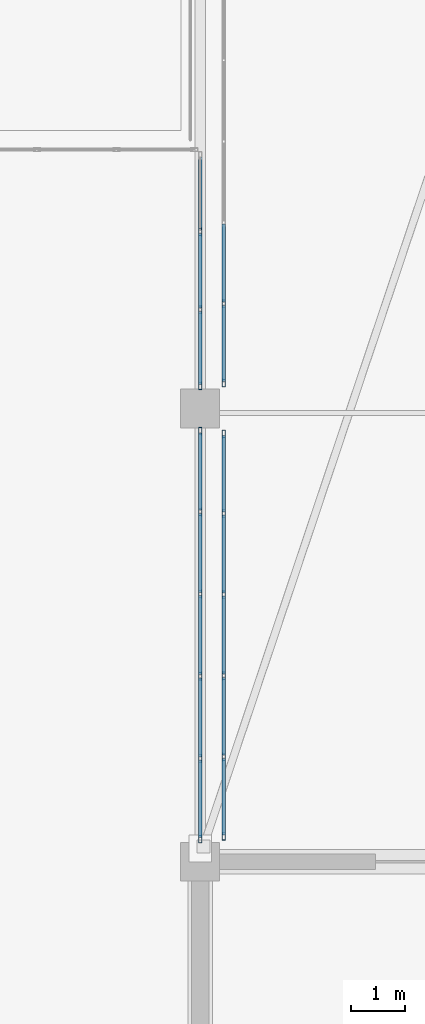
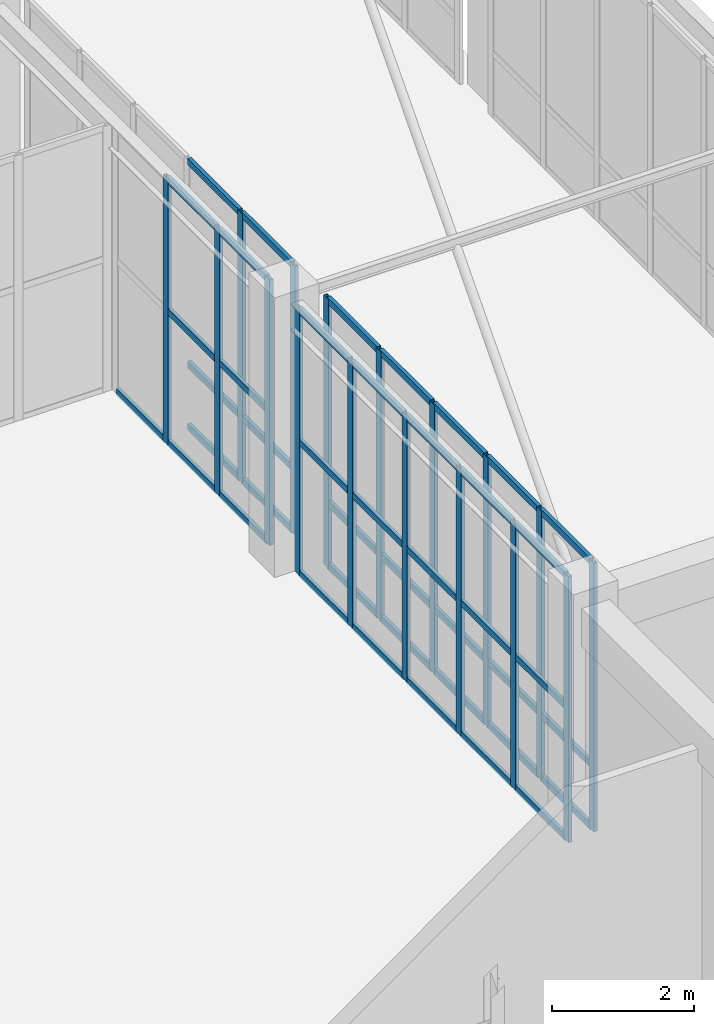
# One storey, part 64 of 158: 60 members, 4 elements without a shape of their own.
"""IFC4 building model written with IfcOpenShell, lengths in metres."""

from ifc_helpers import new_model, si_unit, direction, frame, origin, origin_2d, place, context, subcontext, project, spatial, hollow_rectangle, extrude, material, layer, layer_set, material_profile, profile_set, type_object, element, aggregate, save


model = new_model("IFC4")

# Units and contexts
model_context = context("Model", 3, precision=1e-05, world=origin(), true_north=direction((0.0, 1.0)))
body_context = subcontext(model_context, "Body", "Model", "MODEL_VIEW")
ifc_project = project(units=[si_unit("LENGTHUNIT", "METRE"), si_unit("AREAUNIT", "SQUARE_METRE"), si_unit("VOLUMEUNIT", "CUBIC_METRE"), si_unit("PLANEANGLEUNIT", "RADIAN"), si_unit("MASSUNIT", "GRAM", prefix="KILO")], contexts=[model_context])

# Site, building, storey
site_placement = place(None, origin())
site = spatial("IfcSite", under=ifc_project, at=site_placement, CompositionType="ELEMENT")
building_placement = place(site_placement, origin())
building = spatial("IfcBuilding", under=site, at=building_placement, Name="Trelvath General Hospital", CompositionType="ELEMENT")
storey_placement = place(building_placement, frame((0.0, 0.0, 8.10009765625)))
storey = spatial("IfcBuildingStorey", under=building, at=storey_placement, Name="L02", CompositionType="ELEMENT", Elevation=8.10009765625)

# Curtain wall, members
ifc_material_1 = material(Name="Anodised aluminium and low-E glass", Category="aluminium")
ifc_layer_1 = layer(ifc_material_1, 0.139892578125)
ifc_layer_set_1 = layer_set([ifc_layer_1], Name="Anodised aluminium and low-E glass")
curtain_wall_type_1 = type_object("IfcCurtainWallType", Name="CW CrystalCube 762 456 14", PredefinedType="USERDEFINED", material=ifc_layer_set_1)
curtain_wall_1_placement = place(storey_placement, origin())
curtain_wall_1 = element("IfcCurtainWall", 1, at=curtain_wall_1_placement, inside=storey, type_object=curtain_wall_type_1, Name="Crystal Cube Curtain Wall CUBE-W-T1 E6 L02", ObjectType="Unitised Glazed Curtain Wall", PredefinedType="USERDEFINED")
ifc_material_2 = material(Name="Anodised aluminium", Category="aluminium")
ifc_material_profile_1 = material_profile(ifc_material_2, hollow_rectangle(XDim=0.06005859375, YDim=0.139892578125, WallThickness=0.00390625, at=origin_2d()), Name="RHS60x140x4")
ifc_profile_set_1 = profile_set([ifc_material_profile_1], Name="Anodised aluminium")
member_type_1 = type_object("IfcMemberType", Name="CurtainMullion 60x140", PredefinedType="MULLION", material=ifc_profile_set_1)
member_1_placement = place(storey_placement, frame((75.60009765625, 75.179931640625, 0.0), z_axis=(0.0, 0.0, 1.0), x_axis=(1.0, 0.0, 0.0)))
member_1 = element("IfcMember", 2, at=member_1_placement, type_object=member_type_1, Name="CW-202 mullion 1", PredefinedType="MULLION", context=body_context, shape_type="SweptSolid", body=[
    extrude(hollow_rectangle(XDim=0.06005859375, YDim=0.139892578125, WallThickness=0.00390625, at=origin_2d()), origin(), (0.0, 0.0, 1.0), 4.559814453125),
])
member_2_placement = place(storey_placement, frame((75.60009765625, 73.68603515625, 0.0), z_axis=(0.0, 0.0, 1.0), x_axis=(1.0, 0.0, 0.0)))
member_2 = element("IfcMember", 3, at=member_2_placement, type_object=member_type_1, Name="CW-202 mullion 2", PredefinedType="MULLION", context=body_context, shape_type="SweptSolid", body=[
    extrude(hollow_rectangle(XDim=0.06005859375, YDim=0.139892578125, WallThickness=0.00390625, at=origin_2d()), origin(), (0.0, 0.0, 1.0), 4.559814453125),
])
member_3_placement = place(storey_placement, frame((75.60009765625, 72.162109375, 0.0), z_axis=(0.0, 0.0, 1.0), x_axis=(1.0, 0.0, 0.0)))
member_3 = element("IfcMember", 4, at=member_3_placement, type_object=member_type_1, Name="CW-202 mullion 3", PredefinedType="MULLION", context=body_context, shape_type="SweptSolid", body=[
    extrude(hollow_rectangle(XDim=0.06005859375, YDim=0.139892578125, WallThickness=0.00390625, at=origin_2d()), origin(), (0.0, 0.0, 1.0), 4.559814453125),
])
member_4_placement = place(storey_placement, frame((75.60009765625, 70.637939453125, 0.0), z_axis=(0.0, 0.0, 1.0), x_axis=(1.0, 0.0, 0.0)))
member_4 = element("IfcMember", 5, at=member_4_placement, type_object=member_type_1, Name="CW-202 mullion 4", PredefinedType="MULLION", context=body_context, shape_type="SweptSolid", body=[
    extrude(hollow_rectangle(XDim=0.06005859375, YDim=0.139892578125, WallThickness=0.00390625, at=origin_2d()), origin(), (0.0, 0.0, 1.0), 4.559814453125),
])
member_5_placement = place(storey_placement, frame((75.60009765625, 69.114013671875, 0.0), z_axis=(0.0, 0.0, 1.0), x_axis=(1.0, 0.0, 0.0)))
member_5 = element("IfcMember", 6, at=member_5_placement, type_object=member_type_1, Name="CW-202 mullion 5", PredefinedType="MULLION", context=body_context, shape_type="SweptSolid", body=[
    extrude(hollow_rectangle(XDim=0.06005859375, YDim=0.139892578125, WallThickness=0.00390625, at=origin_2d()), origin(), (0.0, 0.0, 1.0), 4.559814453125),
])
member_6_placement = place(storey_placement, frame((75.60009765625, 67.6201171875, 0.0), z_axis=(0.0, 0.0, 1.0), x_axis=(1.0, 0.0, 0.0)))
member_6 = element("IfcMember", 7, at=member_6_placement, type_object=member_type_1, Name="CW-202 mullion 6", PredefinedType="MULLION", context=body_context, shape_type="SweptSolid", body=[
    extrude(hollow_rectangle(XDim=0.06005859375, YDim=0.139892578125, WallThickness=0.00390625, at=origin_2d()), origin(), (0.0, 0.0, 1.0), 4.559814453125),
])

ifc_material_3 = material(Name="Anodised aluminium and low-E glass", Category="aluminium")
ifc_layer_2 = layer(ifc_material_3, 0.139892578125)
ifc_layer_set_2 = layer_set([ifc_layer_2], Name="Anodised aluminium and low-E glass")
curtain_wall_type_2 = type_object("IfcCurtainWallType", Name="CW CrystalCube 433 456 14", PredefinedType="USERDEFINED", material=ifc_layer_set_2)
curtain_wall_2_placement = place(storey_placement, origin())
curtain_wall_2 = element("IfcCurtainWall", 8, at=curtain_wall_2_placement, inside=storey, type_object=curtain_wall_type_2, Name="Crystal Cube Curtain Wall CUBE-W-T1 E7 L02", ObjectType="Unitised Glazed Curtain Wall", PredefinedType="USERDEFINED")
member_7_placement = place(storey_placement, frame((75.60009765625, 78.876708984375, 0.0), z_axis=(0.0, 0.0, 1.0), x_axis=(1.0, 0.0, 0.0)))
member_7 = element("IfcMember", 9, at=member_7_placement, type_object=member_type_1, Name="CW-204 mullion 2", PredefinedType="MULLION", context=body_context, shape_type="SweptSolid", body=[
    extrude(hollow_rectangle(XDim=0.06005859375, YDim=0.139892578125, WallThickness=0.00390625, at=origin_2d()), origin(), (0.0, 0.0, 1.0), 4.559814453125),
])
member_8_placement = place(storey_placement, frame((75.60009765625, 77.433349609375, 0.0), z_axis=(0.0, 0.0, 1.0), x_axis=(1.0, 0.0, 0.0)))
member_8 = element("IfcMember", 10, at=member_8_placement, type_object=member_type_1, Name="CW-204 mullion 3", PredefinedType="MULLION", context=body_context, shape_type="SweptSolid", body=[
    extrude(hollow_rectangle(XDim=0.06005859375, YDim=0.139892578125, WallThickness=0.00390625, at=origin_2d()), origin(), (0.0, 0.0, 1.0), 4.559814453125),
])
member_9_placement = place(storey_placement, frame((75.60009765625, 76.02001953125, 0.0), z_axis=(0.0, 0.0, 1.0), x_axis=(1.0, 0.0, 0.0)))
member_9 = element("IfcMember", 11, at=member_9_placement, type_object=member_type_1, Name="CW-204 mullion 4", PredefinedType="MULLION", context=body_context, shape_type="SweptSolid", body=[
    extrude(hollow_rectangle(XDim=0.06005859375, YDim=0.139892578125, WallThickness=0.00390625, at=origin_2d()), origin(), (0.0, 0.0, 1.0), 4.559814453125),
])

ifc_material_4 = material(Name="Anodised aluminium and low-E glass", Category="aluminium")
ifc_layer_3 = layer(ifc_material_4, 0.139892578125)
ifc_layer_set_3 = layer_set([ifc_layer_3], Name="Anodised aluminium and low-E glass")
curtain_wall_type_3 = type_object("IfcCurtainWallType", Name="CW Bridge 752 461", PredefinedType="USERDEFINED", material=ifc_layer_set_3)
curtain_wall_3_placement = place(storey_placement, origin())
curtain_wall_3 = element("IfcCurtainWall", 12, at=curtain_wall_3_placement, inside=storey, type_object=curtain_wall_type_3, Name="Glazed Bridge Curtain Wall BRG-N-C W L02", ObjectType="Unitised Glazed Curtain Wall", PredefinedType="USERDEFINED")
member_10_placement = place(storey_placement, frame((76.0400390625, 67.669921875, 0.0), z_axis=(0.0, 0.0, 1.0), x_axis=(-1.0, 0.0, 0.0)))
member_10 = element("IfcMember", 13, at=member_10_placement, type_object=member_type_1, Name="CW-220 mullion 1", PredefinedType="MULLION", context=body_context, shape_type="SweptSolid", body=[
    extrude(hollow_rectangle(XDim=0.06005859375, YDim=0.139892578125, WallThickness=0.00390625, at=origin_2d()), origin(), (0.0, 0.0, 1.0), 4.60986328125),
])
member_11_placement = place(storey_placement, frame((76.0400390625, 69.14404296875, 0.0), z_axis=(0.0, 0.0, 1.0), x_axis=(-1.0, 0.0, 0.0)))
member_11 = element("IfcMember", 14, at=member_11_placement, type_object=member_type_1, Name="CW-220 mullion 2", PredefinedType="MULLION", context=body_context, shape_type="SweptSolid", body=[
    extrude(hollow_rectangle(XDim=0.06005859375, YDim=0.139892578125, WallThickness=0.00390625, at=origin_2d()), origin(), (0.0, 0.0, 1.0), 4.60986328125),
])
member_12_placement = place(storey_placement, frame((76.0400390625, 70.64794921875, 0.0), z_axis=(0.0, 0.0, 1.0), x_axis=(-1.0, 0.0, 0.0)))
member_12 = element("IfcMember", 15, at=member_12_placement, type_object=member_type_1, Name="CW-220 mullion 3", PredefinedType="MULLION", context=body_context, shape_type="SweptSolid", body=[
    extrude(hollow_rectangle(XDim=0.06005859375, YDim=0.139892578125, WallThickness=0.00390625, at=origin_2d()), origin(), (0.0, 0.0, 1.0), 4.60986328125),
])
member_13_placement = place(storey_placement, frame((76.0400390625, 72.152099609375, 0.0), z_axis=(0.0, 0.0, 1.0), x_axis=(-1.0, 0.0, 0.0)))
member_13 = element("IfcMember", 16, at=member_13_placement, type_object=member_type_1, Name="CW-220 mullion 4", PredefinedType="MULLION", context=body_context, shape_type="SweptSolid", body=[
    extrude(hollow_rectangle(XDim=0.06005859375, YDim=0.139892578125, WallThickness=0.00390625, at=origin_2d()), origin(), (0.0, 0.0, 1.0), 4.60986328125),
])
member_14_placement = place(storey_placement, frame((76.0400390625, 73.656005859375, 0.0), z_axis=(0.0, 0.0, 1.0), x_axis=(-1.0, 0.0, 0.0)))
member_14 = element("IfcMember", 17, at=member_14_placement, type_object=member_type_1, Name="CW-220 mullion 5", PredefinedType="MULLION", context=body_context, shape_type="SweptSolid", body=[
    extrude(hollow_rectangle(XDim=0.06005859375, YDim=0.139892578125, WallThickness=0.00390625, at=origin_2d()), origin(), (0.0, 0.0, 1.0), 4.60986328125),
])
member_15_placement = place(storey_placement, frame((76.0400390625, 75.1298828125, 0.0), z_axis=(0.0, 0.0, 1.0), x_axis=(-1.0, 0.0, 0.0)))
member_15 = element("IfcMember", 18, at=member_15_placement, type_object=member_type_1, Name="CW-220 mullion 6", PredefinedType="MULLION", context=body_context, shape_type="SweptSolid", body=[
    extrude(hollow_rectangle(XDim=0.06005859375, YDim=0.139892578125, WallThickness=0.00390625, at=origin_2d()), origin(), (0.0, 0.0, 1.0), 4.60986328125),
])

curtain_wall_4_placement = place(storey_placement, origin())
curtain_wall_4 = element("IfcCurtainWall", 19, at=curtain_wall_4_placement, inside=storey, type_object=curtain_wall_type_3, Name="Glazed Bridge Curtain Wall BRG-N-C W L02", ObjectType="Unitised Glazed Curtain Wall", PredefinedType="USERDEFINED")
member_16_placement = place(storey_placement, frame((76.0400390625, 76.070068359375, 0.0), z_axis=(0.0, 0.0, 1.0), x_axis=(-1.0, 0.0, 0.0)))
member_16 = element("IfcMember", 20, at=member_16_placement, type_object=member_type_1, Name="CW-222 mullion 1", PredefinedType="MULLION", context=body_context, shape_type="SweptSolid", body=[
    extrude(hollow_rectangle(XDim=0.06005859375, YDim=0.139892578125, WallThickness=0.00390625, at=origin_2d()), origin(), (0.0, 0.0, 1.0), 4.60986328125),
])
member_17_placement = place(storey_placement, frame((76.0400390625, 77.5439453125, 0.0), z_axis=(0.0, 0.0, 1.0), x_axis=(-1.0, 0.0, 0.0)))
member_17 = element("IfcMember", 21, at=member_17_placement, type_object=member_type_1, Name="CW-222 mullion 2", PredefinedType="MULLION", context=body_context, shape_type="SweptSolid", body=[
    extrude(hollow_rectangle(XDim=0.06005859375, YDim=0.139892578125, WallThickness=0.00390625, at=origin_2d()), origin(), (0.0, 0.0, 1.0), 4.60986328125),
])

# Member
ifc_material_5 = material(Name="Anodised aluminium", Category="aluminium")
ifc_material_profile_2 = material_profile(ifc_material_5, hollow_rectangle(XDim=0.06005859375, YDim=0.110107421875, WallThickness=0.00390625, at=origin_2d()), Name="RHS60x110x4")
ifc_profile_set_2 = profile_set([ifc_material_profile_2], Name="Anodised aluminium")
member_type_2 = type_object("IfcMemberType", Name="CurtainTransom 60x110", PredefinedType="USERDEFINED", material=ifc_profile_set_2)
member_18_placement = place(storey_placement, frame((75.60009765625, 75.14990234375, 0.02978515625), z_axis=(0.0, -1.0, 0.0), x_axis=(1.0, 0.0, 0.0)))
member_18 = element("IfcMember", 22, at=member_18_placement, type_object=member_type_2, Name="CW-202 transom 1.1", ObjectType="TRANSOM", PredefinedType="USERDEFINED", context=body_context, shape_type="SweptSolid", body=[
    extrude(hollow_rectangle(XDim=0.06005859375, YDim=0.110107421875, WallThickness=0.00390625, at=origin_2d()), origin(), (0.0, 0.0, 1.0), 1.433837890625),
])

member_19_placement = place(storey_placement, frame((75.60009765625, 75.14990234375, 2.27978515625), z_axis=(0.0, -1.0, 0.0), x_axis=(1.0, 0.0, 0.0)))
member_19 = element("IfcMember", 23, at=member_19_placement, type_object=member_type_2, Name="CW-202 transom 1.2", ObjectType="TRANSOM", PredefinedType="USERDEFINED", context=body_context, shape_type="SweptSolid", body=[
    extrude(hollow_rectangle(XDim=0.06005859375, YDim=0.110107421875, WallThickness=0.00390625, at=origin_2d()), origin(), (0.0, 0.0, 1.0), 1.433837890625),
])

member_20_placement = place(storey_placement, frame((75.60009765625, 75.14990234375, 4.52978515625), z_axis=(0.0, -1.0, 0.0), x_axis=(1.0, 0.0, 0.0)))
member_20 = element("IfcMember", 24, at=member_20_placement, type_object=member_type_2, Name="CW-202 transom 1.3", ObjectType="TRANSOM", PredefinedType="USERDEFINED", context=body_context, shape_type="SweptSolid", body=[
    extrude(hollow_rectangle(XDim=0.06005859375, YDim=0.110107421875, WallThickness=0.00390625, at=origin_2d()), origin(), (0.0, 0.0, 1.0), 1.433837890625),
])

member_21_placement = place(storey_placement, frame((75.60009765625, 73.656005859375, 0.02978515625), z_axis=(0.0, -1.0, 0.0), x_axis=(1.0, 0.0, 0.0)))
member_21 = element("IfcMember", 25, at=member_21_placement, type_object=member_type_2, Name="CW-202 transom 2.1", ObjectType="TRANSOM", PredefinedType="USERDEFINED", context=body_context, shape_type="SweptSolid", body=[
    extrude(hollow_rectangle(XDim=0.06005859375, YDim=0.110107421875, WallThickness=0.00390625, at=origin_2d()), origin(), (0.0, 0.0, 1.0), 1.464111328125),
])

member_22_placement = place(storey_placement, frame((75.60009765625, 73.656005859375, 2.27978515625), z_axis=(0.0, -1.0, 0.0), x_axis=(1.0, 0.0, 0.0)))
member_22 = element("IfcMember", 26, at=member_22_placement, type_object=member_type_2, Name="CW-202 transom 2.2", ObjectType="TRANSOM", PredefinedType="USERDEFINED", context=body_context, shape_type="SweptSolid", body=[
    extrude(hollow_rectangle(XDim=0.06005859375, YDim=0.110107421875, WallThickness=0.00390625, at=origin_2d()), origin(), (0.0, 0.0, 1.0), 1.464111328125),
])

member_23_placement = place(storey_placement, frame((75.60009765625, 73.656005859375, 4.52978515625), z_axis=(0.0, -1.0, 0.0), x_axis=(1.0, 0.0, 0.0)))
member_23 = element("IfcMember", 27, at=member_23_placement, type_object=member_type_2, Name="CW-202 transom 2.3", ObjectType="TRANSOM", PredefinedType="USERDEFINED", context=body_context, shape_type="SweptSolid", body=[
    extrude(hollow_rectangle(XDim=0.06005859375, YDim=0.110107421875, WallThickness=0.00390625, at=origin_2d()), origin(), (0.0, 0.0, 1.0), 1.464111328125),
])

member_24_placement = place(storey_placement, frame((75.60009765625, 72.132080078125, 0.02978515625), z_axis=(0.0, -1.0, 0.0), x_axis=(1.0, 0.0, 0.0)))
member_24 = element("IfcMember", 28, at=member_24_placement, type_object=member_type_2, Name="CW-202 transom 3.1", ObjectType="TRANSOM", PredefinedType="USERDEFINED", context=body_context, shape_type="SweptSolid", body=[
    extrude(hollow_rectangle(XDim=0.06005859375, YDim=0.110107421875, WallThickness=0.00390625, at=origin_2d()), origin(), (0.0, 0.0, 1.0), 1.464111328125),
])

member_25_placement = place(storey_placement, frame((75.60009765625, 72.132080078125, 2.27978515625), z_axis=(0.0, -1.0, 0.0), x_axis=(1.0, 0.0, 0.0)))
member_25 = element("IfcMember", 29, at=member_25_placement, type_object=member_type_2, Name="CW-202 transom 3.2", ObjectType="TRANSOM", PredefinedType="USERDEFINED", context=body_context, shape_type="SweptSolid", body=[
    extrude(hollow_rectangle(XDim=0.06005859375, YDim=0.110107421875, WallThickness=0.00390625, at=origin_2d()), origin(), (0.0, 0.0, 1.0), 1.464111328125),
])

member_26_placement = place(storey_placement, frame((75.60009765625, 72.132080078125, 4.52978515625), z_axis=(0.0, -1.0, 0.0), x_axis=(1.0, 0.0, 0.0)))
member_26 = element("IfcMember", 30, at=member_26_placement, type_object=member_type_2, Name="CW-202 transom 3.3", ObjectType="TRANSOM", PredefinedType="USERDEFINED", context=body_context, shape_type="SweptSolid", body=[
    extrude(hollow_rectangle(XDim=0.06005859375, YDim=0.110107421875, WallThickness=0.00390625, at=origin_2d()), origin(), (0.0, 0.0, 1.0), 1.464111328125),
])

member_27_placement = place(storey_placement, frame((75.60009765625, 70.60791015625, 0.02978515625), z_axis=(0.0, -1.0, 0.0), x_axis=(1.0, 0.0, 0.0)))
member_27 = element("IfcMember", 31, at=member_27_placement, type_object=member_type_2, Name="CW-202 transom 4.1", ObjectType="TRANSOM", PredefinedType="USERDEFINED", context=body_context, shape_type="SweptSolid", body=[
    extrude(hollow_rectangle(XDim=0.06005859375, YDim=0.110107421875, WallThickness=0.00390625, at=origin_2d()), origin(), (0.0, 0.0, 1.0), 1.4638671875),
])

member_28_placement = place(storey_placement, frame((75.60009765625, 70.60791015625, 2.27978515625), z_axis=(0.0, -1.0, 0.0), x_axis=(1.0, 0.0, 0.0)))
member_28 = element("IfcMember", 32, at=member_28_placement, type_object=member_type_2, Name="CW-202 transom 4.2", ObjectType="TRANSOM", PredefinedType="USERDEFINED", context=body_context, shape_type="SweptSolid", body=[
    extrude(hollow_rectangle(XDim=0.06005859375, YDim=0.110107421875, WallThickness=0.00390625, at=origin_2d()), origin(), (0.0, 0.0, 1.0), 1.4638671875),
])

member_29_placement = place(storey_placement, frame((75.60009765625, 70.60791015625, 4.52978515625), z_axis=(0.0, -1.0, 0.0), x_axis=(1.0, 0.0, 0.0)))
member_29 = element("IfcMember", 33, at=member_29_placement, type_object=member_type_2, Name="CW-202 transom 4.3", ObjectType="TRANSOM", PredefinedType="USERDEFINED", context=body_context, shape_type="SweptSolid", body=[
    extrude(hollow_rectangle(XDim=0.06005859375, YDim=0.110107421875, WallThickness=0.00390625, at=origin_2d()), origin(), (0.0, 0.0, 1.0), 1.4638671875),
])

member_30_placement = place(storey_placement, frame((75.60009765625, 69.083984375, 0.02978515625), z_axis=(0.0, -1.0, 0.0), x_axis=(1.0, 0.0, 0.0)))
member_30 = element("IfcMember", 34, at=member_30_placement, type_object=member_type_2, Name="CW-202 transom 5.1", ObjectType="TRANSOM", PredefinedType="USERDEFINED", context=body_context, shape_type="SweptSolid", body=[
    extrude(hollow_rectangle(XDim=0.06005859375, YDim=0.110107421875, WallThickness=0.00390625, at=origin_2d()), origin(), (0.0, 0.0, 1.0), 1.43408203125),
])

member_31_placement = place(storey_placement, frame((75.60009765625, 69.083984375, 2.27978515625), z_axis=(0.0, -1.0, 0.0), x_axis=(1.0, 0.0, 0.0)))
member_31 = element("IfcMember", 35, at=member_31_placement, type_object=member_type_2, Name="CW-202 transom 5.2", ObjectType="TRANSOM", PredefinedType="USERDEFINED", context=body_context, shape_type="SweptSolid", body=[
    extrude(hollow_rectangle(XDim=0.06005859375, YDim=0.110107421875, WallThickness=0.00390625, at=origin_2d()), origin(), (0.0, 0.0, 1.0), 1.43408203125),
])

member_32_placement = place(storey_placement, frame((75.60009765625, 69.083984375, 4.52978515625), z_axis=(0.0, -1.0, 0.0), x_axis=(1.0, 0.0, 0.0)))
member_32 = element("IfcMember", 36, at=member_32_placement, type_object=member_type_2, Name="CW-202 transom 5.3", ObjectType="TRANSOM", PredefinedType="USERDEFINED", context=body_context, shape_type="SweptSolid", body=[
    extrude(hollow_rectangle(XDim=0.06005859375, YDim=0.110107421875, WallThickness=0.00390625, at=origin_2d()), origin(), (0.0, 0.0, 1.0), 1.43408203125),
])

aggregate(curtain_wall_1, [member_1, member_2, member_3, member_4, member_5, member_6, member_18, member_19, member_20, member_21, member_22, member_23, member_24, member_25, member_26, member_27, member_28, member_29, member_30, member_31, member_32])

member_33_placement = place(storey_placement, frame((75.60009765625, 80.260009765625, 0.02978515625), z_axis=(0.0, -1.0, 0.0), x_axis=(1.0, 0.0, 0.0)))
member_33 = element("IfcMember", 37, at=member_33_placement, type_object=member_type_2, Name="CW-204 transom 1.1", ObjectType="TRANSOM", PredefinedType="USERDEFINED", context=body_context, shape_type="SweptSolid", body=[
    extrude(hollow_rectangle(XDim=0.06005859375, YDim=0.110107421875, WallThickness=0.00390625, at=origin_2d()), origin(), (0.0, 0.0, 1.0), 1.353271484375),
])

member_34_placement = place(storey_placement, frame((75.60009765625, 78.8466796875, 0.02978515625), z_axis=(0.0, -1.0, 0.0), x_axis=(1.0, 0.0, 0.0)))
member_34 = element("IfcMember", 38, at=member_34_placement, type_object=member_type_2, Name="CW-204 transom 2.1", ObjectType="TRANSOM", PredefinedType="USERDEFINED", context=body_context, shape_type="SweptSolid", body=[
    extrude(hollow_rectangle(XDim=0.06005859375, YDim=0.110107421875, WallThickness=0.00390625, at=origin_2d()), origin(), (0.0, 0.0, 1.0), 1.38330078125),
])

member_35_placement = place(storey_placement, frame((75.60009765625, 78.8466796875, 2.27978515625), z_axis=(0.0, -1.0, 0.0), x_axis=(1.0, 0.0, 0.0)))
member_35 = element("IfcMember", 39, at=member_35_placement, type_object=member_type_2, Name="CW-204 transom 2.2", ObjectType="TRANSOM", PredefinedType="USERDEFINED", context=body_context, shape_type="SweptSolid", body=[
    extrude(hollow_rectangle(XDim=0.06005859375, YDim=0.110107421875, WallThickness=0.00390625, at=origin_2d()), origin(), (0.0, 0.0, 1.0), 1.38330078125),
])

member_36_placement = place(storey_placement, frame((75.60009765625, 78.8466796875, 4.52978515625), z_axis=(0.0, -1.0, 0.0), x_axis=(1.0, 0.0, 0.0)))
member_36 = element("IfcMember", 40, at=member_36_placement, type_object=member_type_2, Name="CW-204 transom 2.3", ObjectType="TRANSOM", PredefinedType="USERDEFINED", context=body_context, shape_type="SweptSolid", body=[
    extrude(hollow_rectangle(XDim=0.06005859375, YDim=0.110107421875, WallThickness=0.00390625, at=origin_2d()), origin(), (0.0, 0.0, 1.0), 1.38330078125),
])

member_37_placement = place(storey_placement, frame((75.60009765625, 77.4033203125, 0.02978515625), z_axis=(0.0, -1.0, 0.0), x_axis=(1.0, 0.0, 0.0)))
member_37 = element("IfcMember", 41, at=member_37_placement, type_object=member_type_2, Name="CW-204 transom 3.1", ObjectType="TRANSOM", PredefinedType="USERDEFINED", context=body_context, shape_type="SweptSolid", body=[
    extrude(hollow_rectangle(XDim=0.06005859375, YDim=0.110107421875, WallThickness=0.00390625, at=origin_2d()), origin(), (0.0, 0.0, 1.0), 1.353271484375),
])

member_38_placement = place(storey_placement, frame((75.60009765625, 77.4033203125, 2.27978515625), z_axis=(0.0, -1.0, 0.0), x_axis=(1.0, 0.0, 0.0)))
member_38 = element("IfcMember", 42, at=member_38_placement, type_object=member_type_2, Name="CW-204 transom 3.2", ObjectType="TRANSOM", PredefinedType="USERDEFINED", context=body_context, shape_type="SweptSolid", body=[
    extrude(hollow_rectangle(XDim=0.06005859375, YDim=0.110107421875, WallThickness=0.00390625, at=origin_2d()), origin(), (0.0, 0.0, 1.0), 1.353271484375),
])

member_39_placement = place(storey_placement, frame((75.60009765625, 77.4033203125, 4.52978515625), z_axis=(0.0, -1.0, 0.0), x_axis=(1.0, 0.0, 0.0)))
member_39 = element("IfcMember", 43, at=member_39_placement, type_object=member_type_2, Name="CW-204 transom 3.3", ObjectType="TRANSOM", PredefinedType="USERDEFINED", context=body_context, shape_type="SweptSolid", body=[
    extrude(hollow_rectangle(XDim=0.06005859375, YDim=0.110107421875, WallThickness=0.00390625, at=origin_2d()), origin(), (0.0, 0.0, 1.0), 1.353271484375),
])

aggregate(curtain_wall_2, [member_7, member_8, member_9, member_33, member_34, member_35, member_36, member_37, member_38, member_39])

member_40_placement = place(storey_placement, frame((76.0400390625, 67.699951171875, 0.02978515625), z_axis=(0.0, 1.0, 0.0), x_axis=(-1.0, 0.0, 0.0)))
member_40 = element("IfcMember", 44, at=member_40_placement, type_object=member_type_2, Name="CW-220 transom 1.1", ObjectType="TRANSOM", PredefinedType="USERDEFINED", context=body_context, shape_type="SweptSolid", body=[
    extrude(hollow_rectangle(XDim=0.06005859375, YDim=0.110107421875, WallThickness=0.00390625, at=origin_2d()), origin(), (0.0, 0.0, 1.0), 1.4140625),
])

member_41_placement = place(storey_placement, frame((76.0400390625, 67.699951171875, 1.099853515625), z_axis=(0.0, 1.0, 0.0), x_axis=(-1.0, 0.0, 0.0)))
member_41 = element("IfcMember", 45, at=member_41_placement, type_object=member_type_2, Name="CW-220 transom 1.2", ObjectType="TRANSOM", PredefinedType="USERDEFINED", context=body_context, shape_type="SweptSolid", body=[
    extrude(hollow_rectangle(XDim=0.06005859375, YDim=0.110107421875, WallThickness=0.00390625, at=origin_2d()), origin(), (0.0, 0.0, 1.0), 1.4140625),
])

member_42_placement = place(storey_placement, frame((76.0400390625, 67.699951171875, 4.579833984375), z_axis=(0.0, 1.0, 0.0), x_axis=(-1.0, 0.0, 0.0)))
member_42 = element("IfcMember", 46, at=member_42_placement, type_object=member_type_2, Name="CW-220 transom 1.3", ObjectType="TRANSOM", PredefinedType="USERDEFINED", context=body_context, shape_type="SweptSolid", body=[
    extrude(hollow_rectangle(XDim=0.06005859375, YDim=0.110107421875, WallThickness=0.00390625, at=origin_2d()), origin(), (0.0, 0.0, 1.0), 1.4140625),
])

member_43_placement = place(storey_placement, frame((76.0400390625, 69.174072265625, 0.02978515625), z_axis=(0.0, 1.0, 0.0), x_axis=(-1.0, 0.0, 0.0)))
member_43 = element("IfcMember", 47, at=member_43_placement, type_object=member_type_2, Name="CW-220 transom 2.1", ObjectType="TRANSOM", PredefinedType="USERDEFINED", context=body_context, shape_type="SweptSolid", body=[
    extrude(hollow_rectangle(XDim=0.06005859375, YDim=0.110107421875, WallThickness=0.00390625, at=origin_2d()), origin(), (0.0, 0.0, 1.0), 1.44384765625),
])

member_44_placement = place(storey_placement, frame((76.0400390625, 69.174072265625, 1.099853515625), z_axis=(0.0, 1.0, 0.0), x_axis=(-1.0, 0.0, 0.0)))
member_44 = element("IfcMember", 48, at=member_44_placement, type_object=member_type_2, Name="CW-220 transom 2.2", ObjectType="TRANSOM", PredefinedType="USERDEFINED", context=body_context, shape_type="SweptSolid", body=[
    extrude(hollow_rectangle(XDim=0.06005859375, YDim=0.110107421875, WallThickness=0.00390625, at=origin_2d()), origin(), (0.0, 0.0, 1.0), 1.44384765625),
])

member_45_placement = place(storey_placement, frame((76.0400390625, 69.174072265625, 4.579833984375), z_axis=(0.0, 1.0, 0.0), x_axis=(-1.0, 0.0, 0.0)))
member_45 = element("IfcMember", 49, at=member_45_placement, type_object=member_type_2, Name="CW-220 transom 2.3", ObjectType="TRANSOM", PredefinedType="USERDEFINED", context=body_context, shape_type="SweptSolid", body=[
    extrude(hollow_rectangle(XDim=0.06005859375, YDim=0.110107421875, WallThickness=0.00390625, at=origin_2d()), origin(), (0.0, 0.0, 1.0), 1.44384765625),
])

member_46_placement = place(storey_placement, frame((76.0400390625, 70.677978515625, 0.02978515625), z_axis=(0.0, 1.0, 0.0), x_axis=(-1.0, 0.0, 0.0)))
member_46 = element("IfcMember", 50, at=member_46_placement, type_object=member_type_2, Name="CW-220 transom 3.1", ObjectType="TRANSOM", PredefinedType="USERDEFINED", context=body_context, shape_type="SweptSolid", body=[
    extrude(hollow_rectangle(XDim=0.06005859375, YDim=0.110107421875, WallThickness=0.00390625, at=origin_2d()), origin(), (0.0, 0.0, 1.0), 1.444091796875),
])

member_47_placement = place(storey_placement, frame((76.0400390625, 70.677978515625, 1.099853515625), z_axis=(0.0, 1.0, 0.0), x_axis=(-1.0, 0.0, 0.0)))
member_47 = element("IfcMember", 51, at=member_47_placement, type_object=member_type_2, Name="CW-220 transom 3.2", ObjectType="TRANSOM", PredefinedType="USERDEFINED", context=body_context, shape_type="SweptSolid", body=[
    extrude(hollow_rectangle(XDim=0.06005859375, YDim=0.110107421875, WallThickness=0.00390625, at=origin_2d()), origin(), (0.0, 0.0, 1.0), 1.444091796875),
])

member_48_placement = place(storey_placement, frame((76.0400390625, 70.677978515625, 4.579833984375), z_axis=(0.0, 1.0, 0.0), x_axis=(-1.0, 0.0, 0.0)))
member_48 = element("IfcMember", 52, at=member_48_placement, type_object=member_type_2, Name="CW-220 transom 3.3", ObjectType="TRANSOM", PredefinedType="USERDEFINED", context=body_context, shape_type="SweptSolid", body=[
    extrude(hollow_rectangle(XDim=0.06005859375, YDim=0.110107421875, WallThickness=0.00390625, at=origin_2d()), origin(), (0.0, 0.0, 1.0), 1.444091796875),
])

member_49_placement = place(storey_placement, frame((76.0400390625, 72.181884765625, 0.02978515625), z_axis=(0.0, 1.0, 0.0), x_axis=(-1.0, 0.0, 0.0)))
member_49 = element("IfcMember", 53, at=member_49_placement, type_object=member_type_2, Name="CW-220 transom 4.1", ObjectType="TRANSOM", PredefinedType="USERDEFINED", context=body_context, shape_type="SweptSolid", body=[
    extrude(hollow_rectangle(XDim=0.06005859375, YDim=0.110107421875, WallThickness=0.00390625, at=origin_2d()), origin(), (0.0, 0.0, 1.0), 1.444091796875),
])

member_50_placement = place(storey_placement, frame((76.0400390625, 72.181884765625, 1.099853515625), z_axis=(0.0, 1.0, 0.0), x_axis=(-1.0, 0.0, 0.0)))
member_50 = element("IfcMember", 54, at=member_50_placement, type_object=member_type_2, Name="CW-220 transom 4.2", ObjectType="TRANSOM", PredefinedType="USERDEFINED", context=body_context, shape_type="SweptSolid", body=[
    extrude(hollow_rectangle(XDim=0.06005859375, YDim=0.110107421875, WallThickness=0.00390625, at=origin_2d()), origin(), (0.0, 0.0, 1.0), 1.444091796875),
])

member_51_placement = place(storey_placement, frame((76.0400390625, 72.181884765625, 4.579833984375), z_axis=(0.0, 1.0, 0.0), x_axis=(-1.0, 0.0, 0.0)))
member_51 = element("IfcMember", 55, at=member_51_placement, type_object=member_type_2, Name="CW-220 transom 4.3", ObjectType="TRANSOM", PredefinedType="USERDEFINED", context=body_context, shape_type="SweptSolid", body=[
    extrude(hollow_rectangle(XDim=0.06005859375, YDim=0.110107421875, WallThickness=0.00390625, at=origin_2d()), origin(), (0.0, 0.0, 1.0), 1.444091796875),
])

member_52_placement = place(storey_placement, frame((76.0400390625, 73.68603515625, 0.02978515625), z_axis=(0.0, 1.0, 0.0), x_axis=(-1.0, 0.0, 0.0)))
member_52 = element("IfcMember", 56, at=member_52_placement, type_object=member_type_2, Name="CW-220 transom 5.1", ObjectType="TRANSOM", PredefinedType="USERDEFINED", context=body_context, shape_type="SweptSolid", body=[
    extrude(hollow_rectangle(XDim=0.06005859375, YDim=0.110107421875, WallThickness=0.00390625, at=origin_2d()), origin(), (0.0, 0.0, 1.0), 1.4140625),
])

member_53_placement = place(storey_placement, frame((76.0400390625, 73.68603515625, 1.099853515625), z_axis=(0.0, 1.0, 0.0), x_axis=(-1.0, 0.0, 0.0)))
member_53 = element("IfcMember", 57, at=member_53_placement, type_object=member_type_2, Name="CW-220 transom 5.2", ObjectType="TRANSOM", PredefinedType="USERDEFINED", context=body_context, shape_type="SweptSolid", body=[
    extrude(hollow_rectangle(XDim=0.06005859375, YDim=0.110107421875, WallThickness=0.00390625, at=origin_2d()), origin(), (0.0, 0.0, 1.0), 1.4140625),
])

member_54_placement = place(storey_placement, frame((76.0400390625, 73.68603515625, 4.579833984375), z_axis=(0.0, 1.0, 0.0), x_axis=(-1.0, 0.0, 0.0)))
member_54 = element("IfcMember", 58, at=member_54_placement, type_object=member_type_2, Name="CW-220 transom 5.3", ObjectType="TRANSOM", PredefinedType="USERDEFINED", context=body_context, shape_type="SweptSolid", body=[
    extrude(hollow_rectangle(XDim=0.06005859375, YDim=0.110107421875, WallThickness=0.00390625, at=origin_2d()), origin(), (0.0, 0.0, 1.0), 1.4140625),
])

aggregate(curtain_wall_3, [member_10, member_11, member_12, member_13, member_14, member_15, member_40, member_41, member_42, member_43, member_44, member_45, member_46, member_47, member_48, member_49, member_50, member_51, member_52, member_53, member_54])

member_55_placement = place(storey_placement, frame((76.0400390625, 76.10009765625, 0.02978515625), z_axis=(0.0, 1.0, 0.0), x_axis=(-1.0, 0.0, 0.0)))
member_55 = element("IfcMember", 59, at=member_55_placement, type_object=member_type_2, Name="CW-222 transom 1.1", ObjectType="TRANSOM", PredefinedType="USERDEFINED", context=body_context, shape_type="SweptSolid", body=[
    extrude(hollow_rectangle(XDim=0.06005859375, YDim=0.110107421875, WallThickness=0.00390625, at=origin_2d()), origin(), (0.0, 0.0, 1.0), 1.413818359375),
])

member_56_placement = place(storey_placement, frame((76.0400390625, 76.10009765625, 1.099853515625), z_axis=(0.0, 1.0, 0.0), x_axis=(-1.0, 0.0, 0.0)))
member_56 = element("IfcMember", 60, at=member_56_placement, type_object=member_type_2, Name="CW-222 transom 1.2", ObjectType="TRANSOM", PredefinedType="USERDEFINED", context=body_context, shape_type="SweptSolid", body=[
    extrude(hollow_rectangle(XDim=0.06005859375, YDim=0.110107421875, WallThickness=0.00390625, at=origin_2d()), origin(), (0.0, 0.0, 1.0), 1.413818359375),
])

member_57_placement = place(storey_placement, frame((76.0400390625, 76.10009765625, 4.579833984375), z_axis=(0.0, 1.0, 0.0), x_axis=(-1.0, 0.0, 0.0)))
member_57 = element("IfcMember", 61, at=member_57_placement, type_object=member_type_2, Name="CW-222 transom 1.3", ObjectType="TRANSOM", PredefinedType="USERDEFINED", context=body_context, shape_type="SweptSolid", body=[
    extrude(hollow_rectangle(XDim=0.06005859375, YDim=0.110107421875, WallThickness=0.00390625, at=origin_2d()), origin(), (0.0, 0.0, 1.0), 1.413818359375),
])

member_58_placement = place(storey_placement, frame((76.0400390625, 77.573974609375, 0.02978515625), z_axis=(0.0, 1.0, 0.0), x_axis=(-1.0, 0.0, 0.0)))
member_58 = element("IfcMember", 62, at=member_58_placement, type_object=member_type_2, Name="CW-222 transom 2.1", ObjectType="TRANSOM", PredefinedType="USERDEFINED", context=body_context, shape_type="SweptSolid", body=[
    extrude(hollow_rectangle(XDim=0.06005859375, YDim=0.110107421875, WallThickness=0.00390625, at=origin_2d()), origin(), (0.0, 0.0, 1.0), 1.444091796875),
])

member_59_placement = place(storey_placement, frame((76.0400390625, 77.573974609375, 1.099853515625), z_axis=(0.0, 1.0, 0.0), x_axis=(-1.0, 0.0, 0.0)))
member_59 = element("IfcMember", 63, at=member_59_placement, type_object=member_type_2, Name="CW-222 transom 2.2", ObjectType="TRANSOM", PredefinedType="USERDEFINED", context=body_context, shape_type="SweptSolid", body=[
    extrude(hollow_rectangle(XDim=0.06005859375, YDim=0.110107421875, WallThickness=0.00390625, at=origin_2d()), origin(), (0.0, 0.0, 1.0), 1.444091796875),
])

member_60_placement = place(storey_placement, frame((76.0400390625, 77.573974609375, 4.579833984375), z_axis=(0.0, 1.0, 0.0), x_axis=(-1.0, 0.0, 0.0)))
member_60 = element("IfcMember", 64, at=member_60_placement, type_object=member_type_2, Name="CW-222 transom 2.3", ObjectType="TRANSOM", PredefinedType="USERDEFINED", context=body_context, shape_type="SweptSolid", body=[
    extrude(hollow_rectangle(XDim=0.06005859375, YDim=0.110107421875, WallThickness=0.00390625, at=origin_2d()), origin(), (0.0, 0.0, 1.0), 1.444091796875),
])

aggregate(curtain_wall_4, [member_16, member_17, member_55, member_56, member_57, member_58, member_59, member_60])

save(model, "model.ifc")
